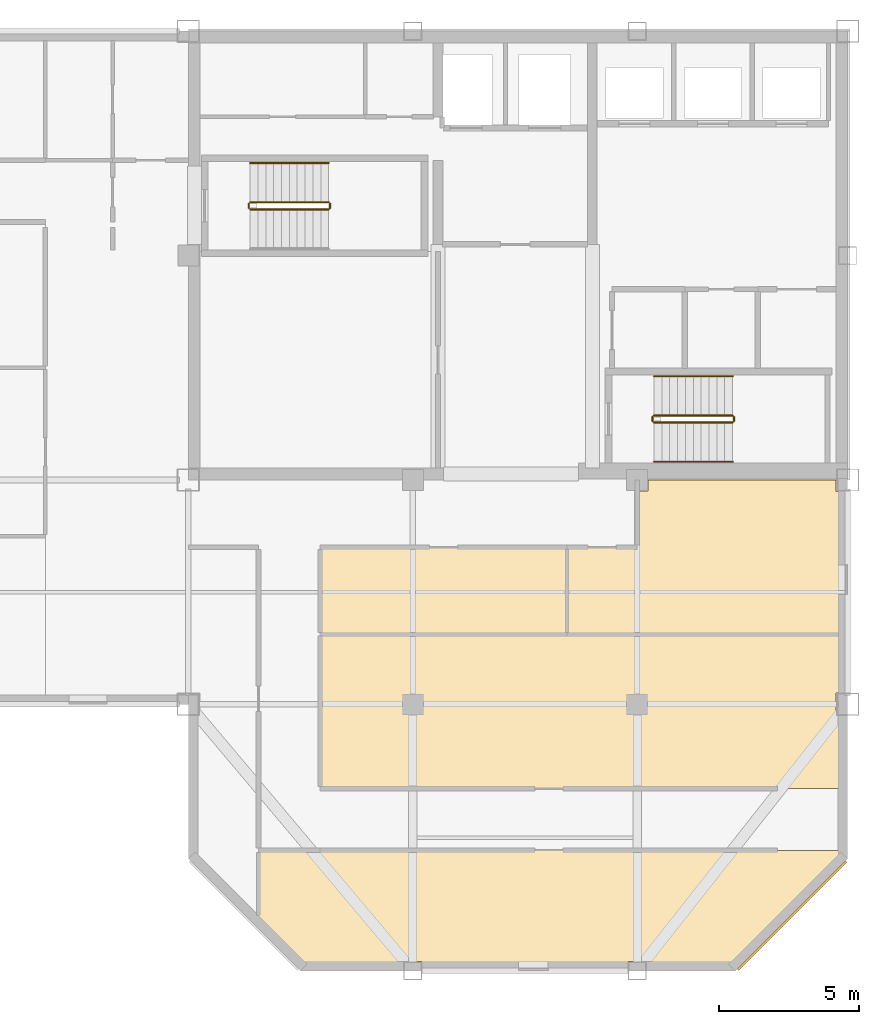
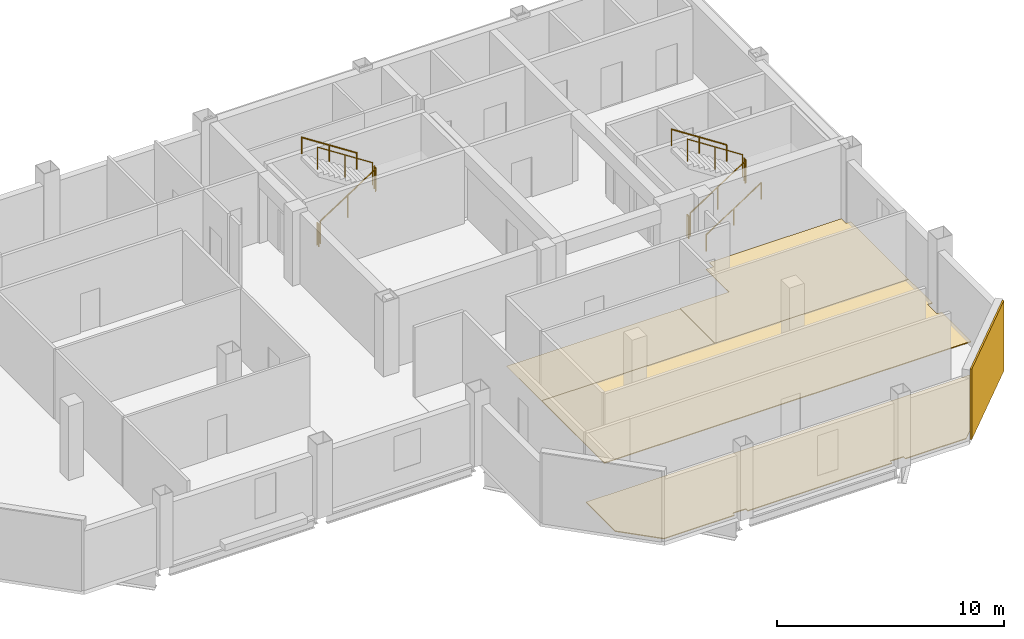
# One storey, part 6 of 7: 11 railings, 5 coverings.
"""IFC4 building model written with IfcOpenShell, lengths in metres."""

from ifc_helpers import new_model, si_unit, direction, frame, origin, origin_2d, place, context, subcontext, project, spatial, polyline, rectangle, circle, outline, extrude, material, layer, layer_set, type_object, element, save


model = new_model("IFC4")

# Units and contexts
model_context = context("Model", 3, precision=1e-05, world=origin(), true_north=direction((0.0, 1.0)))
body_context = subcontext(model_context, "Body", "Model", "MODEL_VIEW")
ifc_project = project(units=[si_unit("LENGTHUNIT", "METRE"), si_unit("AREAUNIT", "SQUARE_METRE"), si_unit("VOLUMEUNIT", "CUBIC_METRE"), si_unit("PLANEANGLEUNIT", "RADIAN"), si_unit("MASSUNIT", "GRAM", prefix="KILO")], contexts=[model_context])

# Site, building, storey
site_placement = place(None, origin())
site = spatial("IfcSite", under=ifc_project, at=site_placement, CompositionType="ELEMENT")
building_placement = place(site_placement, origin())
building = spatial("IfcBuilding", under=site, at=building_placement, Name="Qianrong Seaharbour Tower", CompositionType="ELEMENT")
storey_placement = place(building_placement, frame((0.0, 0.0, 339.199951171875)))
storey = spatial("IfcBuildingStorey", under=building, at=storey_placement, Name="L82", CompositionType="ELEMENT", Elevation=339.199951171875)

# Coverings
ifc_material_1 = material(Name="Unitised red brick cladding on Precast concrete C45/55", Category="masonry")
ifc_layer_1 = layer(ifc_material_1, 0.080078125)
ifc_layer_set_1 = layer_set([ifc_layer_1], Name="Unitised red brick cladding on Precast concrete C45/55")
covering_type_1 = type_object("IfcCoveringType", Name="COV-CLAD-RED-BRICK-80", PredefinedType="CLADDING", material=ifc_layer_set_1)
covering_1_placement = place(storey_placement, frame((62.0283203125, 20.4716796875, 0.0), z_axis=(0.0, 0.0, 1.0), x_axis=(-0.707106781187, -0.707106781187, 0.0)))
element("IfcCovering", 1, at=covering_1_placement, inside=storey, type_object=covering_type_1, Name="L82 Chamfer Corner Brick Cladding 07", PredefinedType="CLADDING", context=body_context, shape_type="SweptSolid", body=[
    extrude(rectangle(XDim=5.456787109375, YDim=0.080078125, at=origin_2d()), origin(), (0.0, 0.0, 1.0), 3.784912109375),
])
ifc_material_2 = material(Name="Acoustic modular carpet tile flooring")
ifc_layer_2 = layer(ifc_material_2, 0.02001953125)
ifc_layer_set_2 = layer_set([ifc_layer_2], Name="Acoustic modular carpet tile flooring")
covering_type_2 = type_object("IfcCoveringType", Name="COV-FLOOR-CARPET-20", PredefinedType="FLOORING", material=ifc_layer_set_2)
covering_2_placement = place(storey_placement, origin())
element("IfcCovering", 2, at=covering_2_placement, inside=storey, type_object=covering_type_2, Name="L82 Wellness Room 1 Finish Flooring", PredefinedType="FLOORING", context=body_context, shape_type="SweptSolid", body=[
    extrude(outline(polyline([(54.0, 33.60009765625), (54.0, 30.5), (45.199951171875, 30.5), (45.199951171875, 33.60009765625), (54.0, 33.60009765625)])), origin(), (0.0, 0.0, 1.0), 0.02001953125),
])
ifc_material_3 = material(Name="Calcium-sulphate raised access floor tile")
ifc_layer_3 = layer(ifc_material_3, 0.044921875)
ifc_layer_set_3 = layer_set([ifc_layer_3], Name="Calcium-sulphate raised access floor tile")
covering_type_3 = type_object("IfcCoveringType", Name="COV-FLOOR-RAISED-45", PredefinedType="FLOORING", material=ifc_layer_set_3)
covering_3_placement = place(storey_placement, origin())
element("IfcCovering", 3, at=covering_3_placement, inside=storey, type_object=covering_type_3, Name="L82 South Tip Open-Plan Office Finish Flooring", PredefinedType="FLOORING", context=body_context, shape_type="SweptSolid", body=[
    extrude(outline(polyline([(63.8349609375, 22.568359375), (59.931640625, 18.6650390625), (56.8349609375, 18.6650390625), (56.8349609375, 18.8349609375), (56.1650390625, 18.8349609375), (56.1650390625, 18.6650390625), (48.8349609375, 18.6650390625), (48.8349609375, 18.8349609375), (48.1650390625, 18.8349609375), (48.1650390625, 18.6650390625), (44.568359375, 18.6650390625), (43.0, 20.2333984375), (43.0, 22.800048828125), (63.8349609375, 22.800048828125), (63.8349609375, 22.568359375)])), origin(), (0.0, 0.0, 1.0), 0.045166015625),
])
covering_4_placement = place(storey_placement, origin())
element("IfcCovering", 4, at=covering_4_placement, inside=storey, type_object=covering_type_3, Name="L82 Operations Open-Plan Office Finish Flooring", PredefinedType="FLOORING", context=body_context, shape_type="SweptSolid", body=[
    extrude(outline(polyline([(63.8349609375, 30.5), (63.8349609375, 28.409912109375), (63.590087890625, 28.409912109375), (63.590087890625, 27.590087890625), (63.8349609375, 27.590087890625), (63.8349609375, 25.0), (45.199951171875, 25.0), (45.199951171875, 30.5), (63.8349609375, 30.5)])), origin(), (0.0, 0.0, 1.0), 0.045166015625),
])
covering_5_placement = place(storey_placement, origin())
element("IfcCovering", 5, at=covering_5_placement, inside=storey, type_object=covering_type_3, Name="L82 Health Director Office 2 Finish Flooring", PredefinedType="FLOORING", context=body_context, shape_type="SweptSolid", body=[
    extrude(outline(polyline([(56.5, 33.60009765625), (56.5, 35.614990234375), (56.885009765625, 35.614990234375), (56.885009765625, 36.0), (63.590087890625, 36.0), (63.590087890625, 35.590087890625), (63.8349609375, 35.590087890625), (63.8349609375, 30.5), (54.0, 30.5), (54.0, 33.60009765625), (56.5, 33.60009765625)])), origin(), (0.0, 0.0, 1.0), 0.045166015625),
])

# Railings
ifc_material_4 = material(Name="Galvanized painted steel SN400B stair guard", Category="steel")
railing_type_1 = type_object("IfcRailingType", Name="RAIL-STAIR-GUARD-1220", PredefinedType="GUARDRAIL", material=ifc_material_4)
railing_1_placement = place(storey_placement, frame((42.699951171875, 45.64990234375, 0.181884765625)))
element("IfcRailing", 6, at=railing_1_placement, inside=storey, type_object=railing_type_1, Name="L82 ST-1 stair guard 1", PredefinedType="GUARDRAIL", context=body_context, shape_type="SweptSolid", body=[
    extrude(circle(Radius=0.02392578125, at=origin_2d()), frame((0.0, 0.0, 1.19580078125), z_axis=(0.838705829183, 0.0, 0.544584733623), x_axis=(0.0, 1.0, 0.0)), (0.0, 0.0, 1.0), 3.338623046875),
    extrude(circle(Radius=0.02099609375, at=origin_2d()), origin(), (0.0, 0.0, 1.0), 1.171875),
    extrude(circle(Radius=0.02099609375, at=origin_2d()), frame((1.39990234375, 0.0, 0.9091796875)), (0.0, 0.0, 1.0), 1.171875),
    extrude(circle(Radius=0.02099609375, at=origin_2d()), frame((2.800048828125, 0.0, 1.818115234375)), (0.0, 0.0, 1.0), 1.171875),
])
railing_2_placement = place(storey_placement, frame((45.550048828125, 45.699951171875, 2.0)))
element("IfcRailing", 7, at=railing_2_placement, inside=storey, type_object=railing_type_1, Name="L82 ST-1 stair guard 2", PredefinedType="GUARDRAIL", context=body_context, shape_type="SweptSolid", body=[
    extrude(circle(Radius=0.02392578125, at=origin_2d()), frame((0.0, 0.0, 1.19580078125), z_axis=(0.0, 1.0, 0.0), x_axis=(-1.0, 0.0, 0.0)), (0.0, 0.0, 1.0), 0.150146484375),
    extrude(circle(Radius=0.02099609375, at=origin_2d()), origin(), (0.0, 0.0, 1.0), 1.171875),
    extrude(circle(Radius=0.02099609375, at=origin_2d()), frame((0.0, 0.150146484375, 0.0)), (0.0, 0.0, 1.0), 1.171875),
])
railing_3_placement = place(storey_placement, frame((45.5, 45.89990234375, 2.181884765625)))
element("IfcRailing", 8, at=railing_3_placement, inside=storey, type_object=railing_type_1, Name="L82 ST-1 stair guard 3", PredefinedType="GUARDRAIL", context=body_context, shape_type="SweptSolid", body=[
    extrude(circle(Radius=0.02392578125, at=origin_2d()), frame((0.0, 0.0, 1.19580078125), z_axis=(-0.838705829183, 0.0, 0.544584733623), x_axis=(0.0, -1.0, 0.0)), (0.0, 0.0, 1.0), 3.338623046875),
    extrude(circle(Radius=0.02099609375, at=origin_2d()), origin(), (0.0, 0.0, 1.0), 1.171875),
    extrude(circle(Radius=0.02099609375, at=origin_2d()), frame((-1.39990234375, 0.0, 0.9091796875)), (0.0, 0.0, 1.0), 1.171875),
    extrude(circle(Radius=0.02099609375, at=origin_2d()), frame((-2.800048828125, 0.0, 1.818115234375)), (0.0, 0.0, 1.0), 1.171875),
])
railing_4_placement = place(storey_placement, frame((42.64990234375, 45.699951171875, 0.0)))
element("IfcRailing", 9, at=railing_4_placement, inside=storey, type_object=railing_type_1, Name="L82 ST-1 stair guard 4", PredefinedType="GUARDRAIL", context=body_context, shape_type="SweptSolid", body=[
    extrude(circle(Radius=0.02392578125, at=origin_2d()), frame((0.0, 0.0, 1.19580078125), z_axis=(0.0, 1.0, 0.0), x_axis=(-1.0, 0.0, 0.0)), (0.0, 0.0, 1.0), 0.150146484375),
    extrude(circle(Radius=0.02099609375, at=origin_2d()), origin(), (0.0, 0.0, 1.0), 1.171875),
    extrude(circle(Radius=0.02099609375, at=origin_2d()), frame((0.0, 0.150146484375, 0.0)), (0.0, 0.0, 1.0), 1.171875),
])
railing_5_placement = place(storey_placement, frame((57.10009765625, 38.050048828125, 0.181884765625)))
element("IfcRailing", 10, at=railing_5_placement, inside=storey, type_object=railing_type_1, Name="L82 ST-2 stair guard 1", PredefinedType="GUARDRAIL", context=body_context, shape_type="SweptSolid", body=[
    extrude(circle(Radius=0.02392578125, at=origin_2d()), frame((0.0, 0.0, 1.19580078125), z_axis=(0.83868413941, 0.0, 0.544618136222), x_axis=(0.0, 1.0, 0.0)), (0.0, 0.0, 1.0), 3.33837890625),
    extrude(circle(Radius=0.02099609375, at=origin_2d()), origin(), (0.0, 0.0, 1.0), 1.171875),
    extrude(circle(Radius=0.02099609375, at=origin_2d()), frame((1.39990234375, 0.0, 0.9091796875)), (0.0, 0.0, 1.0), 1.171875),
    extrude(circle(Radius=0.02099609375, at=origin_2d()), frame((2.7998046875, 0.0, 1.818115234375)), (0.0, 0.0, 1.0), 1.171875),
])
railing_6_placement = place(storey_placement, frame((59.949951171875, 38.10009765625, 2.0)))
element("IfcRailing", 11, at=railing_6_placement, inside=storey, type_object=railing_type_1, Name="L82 ST-2 stair guard 2", PredefinedType="GUARDRAIL", context=body_context, shape_type="SweptSolid", body=[
    extrude(circle(Radius=0.02392578125, at=origin_2d()), frame((0.0, 0.0, 1.19580078125), z_axis=(0.0, 1.0, 0.0), x_axis=(-1.0, 0.0, 0.0)), (0.0, 0.0, 1.0), 0.14990234375),
    extrude(circle(Radius=0.02099609375, at=origin_2d()), origin(), (0.0, 0.0, 1.0), 1.171875),
    extrude(circle(Radius=0.02099609375, at=origin_2d()), frame((0.0, 0.14990234375, 0.0)), (0.0, 0.0, 1.0), 1.171875),
])
railing_7_placement = place(storey_placement, frame((59.89990234375, 38.300048828125, 2.181884765625)))
element("IfcRailing", 12, at=railing_7_placement, inside=storey, type_object=railing_type_1, Name="L82 ST-2 stair guard 3", PredefinedType="GUARDRAIL", context=body_context, shape_type="SweptSolid", body=[
    extrude(circle(Radius=0.02392578125, at=origin_2d()), frame((0.0, 0.0, 1.19580078125), z_axis=(-0.83868413941, 0.0, 0.544618136222), x_axis=(0.0, -1.0, 0.0)), (0.0, 0.0, 1.0), 3.33837890625),
    extrude(circle(Radius=0.02099609375, at=origin_2d()), origin(), (0.0, 0.0, 1.0), 1.171875),
    extrude(circle(Radius=0.02099609375, at=origin_2d()), frame((-1.39990234375, 0.0, 0.9091796875)), (0.0, 0.0, 1.0), 1.171875),
    extrude(circle(Radius=0.02099609375, at=origin_2d()), frame((-2.7998046875, 0.0, 1.818115234375)), (0.0, 0.0, 1.0), 1.171875),
])
railing_8_placement = place(storey_placement, frame((57.050048828125, 38.10009765625, 0.0)))
element("IfcRailing", 13, at=railing_8_placement, inside=storey, type_object=railing_type_1, Name="L82 ST-2 stair guard 4", PredefinedType="GUARDRAIL", context=body_context, shape_type="SweptSolid", body=[
    extrude(circle(Radius=0.02392578125, at=origin_2d()), frame((0.0, 0.0, 1.19580078125), z_axis=(0.0, 1.0, 0.0), x_axis=(-1.0, 0.0, 0.0)), (0.0, 0.0, 1.0), 0.14990234375),
    extrude(circle(Radius=0.02099609375, at=origin_2d()), origin(), (0.0, 0.0, 1.0), 1.171875),
    extrude(circle(Radius=0.02099609375, at=origin_2d()), frame((0.0, 0.14990234375, 0.0)), (0.0, 0.0, 1.0), 1.171875),
])
ifc_material_5 = material(Name="Stainless steel SUS316L continuous handrail", Category="steel")
railing_type_2 = type_object("IfcRailingType", Name="RAIL-STAIR-HANDRAIL-900", PredefinedType="HANDRAIL", material=ifc_material_5)
railing_9_placement = place(storey_placement, frame((45.5, 47.300048828125, 2.181884765625)))
element("IfcRailing", 14, at=railing_9_placement, inside=storey, type_object=railing_type_2, Name="L82 ST-1 stair handrail 2", PredefinedType="HANDRAIL", context=body_context, shape_type="SweptSolid", body=[
    extrude(circle(Radius=0.02392578125, at=origin_2d()), frame((0.0, 0.0, 0.8759765625), z_axis=(-0.838705829183, 0.0, 0.544584733623), x_axis=(0.0, -1.0, 0.0)), (0.0, 0.0, 1.0), 3.338623046875),
    extrude(circle(Radius=0.02099609375, at=origin_2d()), origin(), (0.0, 0.0, 1.0), 0.851806640625),
    extrude(circle(Radius=0.02099609375, at=origin_2d()), frame((-1.39990234375, 0.0, 0.9091796875)), (0.0, 0.0, 1.0), 0.851806640625),
    extrude(circle(Radius=0.02099609375, at=origin_2d()), frame((-2.800048828125, 0.0, 1.818115234375)), (0.0, 0.0, 1.0), 0.851806640625),
])
railing_10_placement = place(storey_placement, frame((57.10009765625, 36.64990234375, 0.181884765625)))
element("IfcRailing", 15, at=railing_10_placement, inside=storey, type_object=railing_type_2, Name="L82 ST-2 stair handrail 1", PredefinedType="HANDRAIL", context=body_context, shape_type="SweptSolid", body=[
    extrude(circle(Radius=0.02392578125, at=origin_2d()), frame((0.0, 0.0, 0.8759765625), z_axis=(0.83868413941, 0.0, 0.544618136222), x_axis=(0.0, 1.0, 0.0)), (0.0, 0.0, 1.0), 3.33837890625),
    extrude(circle(Radius=0.02099609375, at=origin_2d()), origin(), (0.0, 0.0, 1.0), 0.851806640625),
    extrude(circle(Radius=0.02099609375, at=origin_2d()), frame((1.39990234375, 0.0, 0.9091796875)), (0.0, 0.0, 1.0), 0.851806640625),
    extrude(circle(Radius=0.02099609375, at=origin_2d()), frame((2.7998046875, 0.0, 1.818115234375)), (0.0, 0.0, 1.0), 0.851806640625),
])
railing_11_placement = place(storey_placement, frame((59.89990234375, 39.699951171875, 2.181884765625)))
element("IfcRailing", 16, at=railing_11_placement, inside=storey, type_object=railing_type_2, Name="L82 ST-2 stair handrail 2", PredefinedType="HANDRAIL", context=body_context, shape_type="SweptSolid", body=[
    extrude(circle(Radius=0.02392578125, at=origin_2d()), frame((0.0, 0.0, 0.8759765625), z_axis=(-0.83868413941, 0.0, 0.544618136222), x_axis=(0.0, -1.0, 0.0)), (0.0, 0.0, 1.0), 3.33837890625),
    extrude(circle(Radius=0.02099609375, at=origin_2d()), origin(), (0.0, 0.0, 1.0), 0.851806640625),
    extrude(circle(Radius=0.02099609375, at=origin_2d()), frame((-1.39990234375, 0.0, 0.9091796875)), (0.0, 0.0, 1.0), 0.851806640625),
    extrude(circle(Radius=0.02099609375, at=origin_2d()), frame((-2.7998046875, 0.0, 1.818115234375)), (0.0, 0.0, 1.0), 0.851806640625),
])

save(model, "model.ifc")
